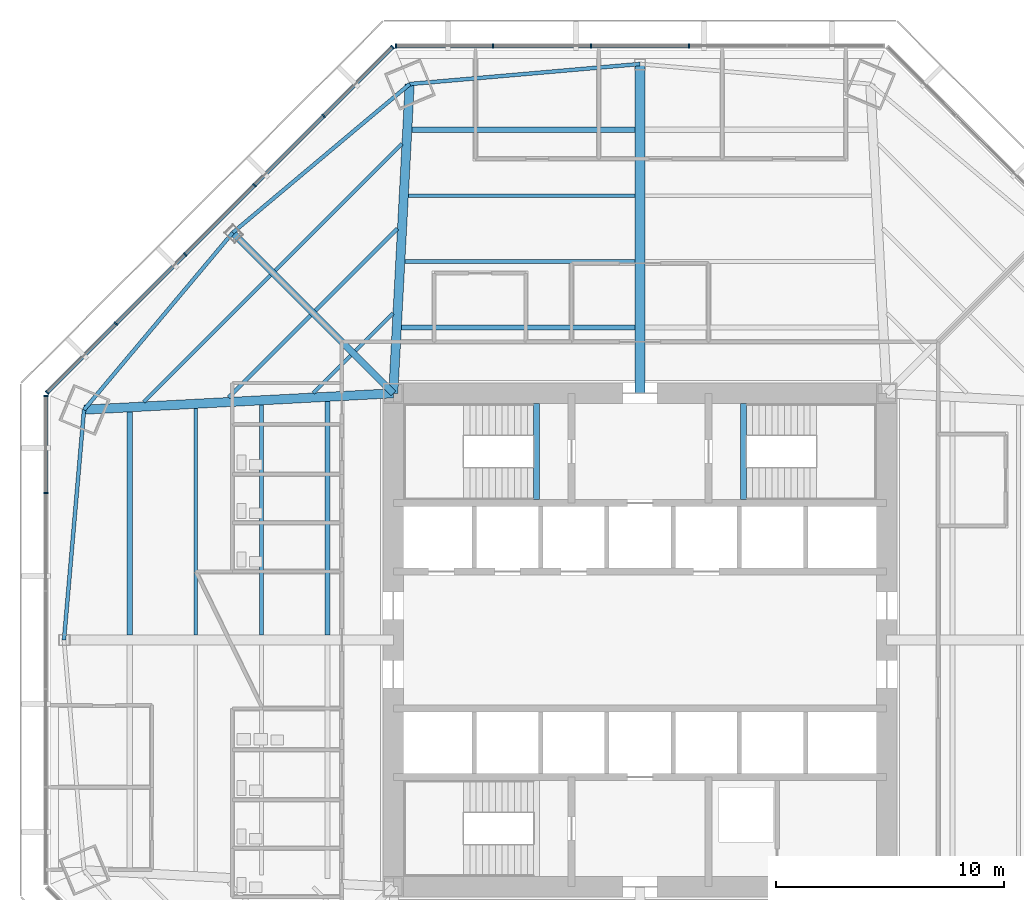
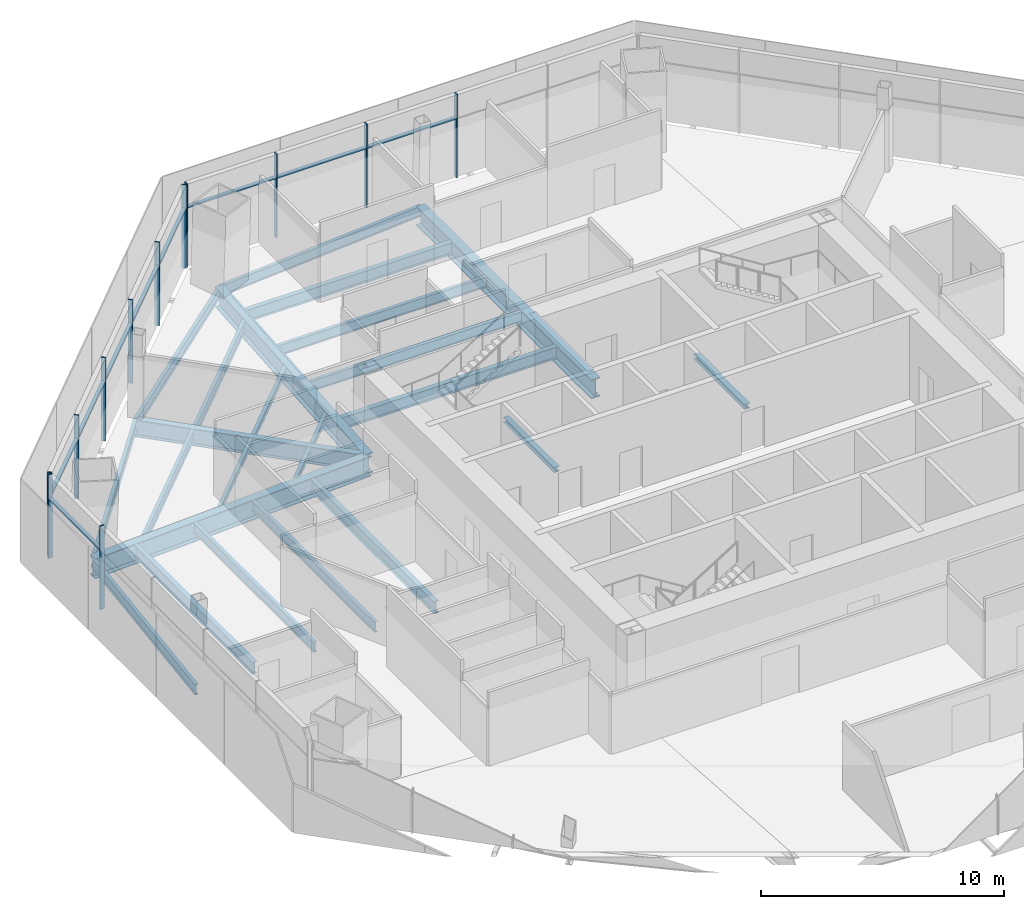
# One storey, part 5 of 15: 24 beams, 21 members, 3 elements without a shape of their own.
"""IFC4 building model written with IfcOpenShell, lengths in metres."""

from ifc_helpers import new_model, si_unit, direction, frame, origin, origin_2d, place, context, subcontext, project, spatial, rectangle, i_section, extrude, source, transform, mapped, material, material_profile, profile_set, type_object, type_shapes, element, aggregate, save


model = new_model("IFC4")

# Units and contexts
model_context = context("Model", 3, precision=1e-05, world=origin(), true_north=direction((0.0, 1.0)))
body_context = subcontext(model_context, "Body", "Model", "MODEL_VIEW")
ifc_project = project(units=[si_unit("LENGTHUNIT", "METRE"), si_unit("AREAUNIT", "SQUARE_METRE"), si_unit("VOLUMEUNIT", "CUBIC_METRE"), si_unit("PLANEANGLEUNIT", "RADIAN"), si_unit("MASSUNIT", "GRAM", prefix="KILO")], contexts=[model_context])

# Site, building, storey
site_placement = place(None, origin())
site = spatial("IfcSite", under=ifc_project, at=site_placement, CompositionType="ELEMENT")
building_placement = place(site_placement, origin())
building = spatial("IfcBuilding", under=site, at=building_placement, Name="Mashrafa Tower", CompositionType="ELEMENT")
storey_placement = place(building_placement, frame((0.0, 0.0, 70.800048828125)))
storey = spatial("IfcBuildingStorey", under=building, at=storey_placement, Name="L15", CompositionType="ELEMENT", Elevation=70.800048828125)

# Beams
ifc_material_1 = material(Name="Steel ASTM A992", Category="steel")
ifc_material_profile_1 = material_profile(ifc_material_1, i_section(OverallWidth=0.164794921875, OverallDepth=0.309814453125, WebThickness=0.005859375, FlangeThickness=0.009765625, FilletRadius=0.007568359375, at=origin_2d()), Name="W12X26")
ifc_profile_set_1 = profile_set([ifc_material_profile_1], Name="Steel ASTM A992")
beam_type_1 = type_object("IfcBeamType", Name="Beam W12X26", PredefinedType="BEAM", material=ifc_profile_set_1)
beam_1_placement = place(storey_placement, frame((-18.0126953125, 10.617919921875, -0.320068359375), z_axis=(0.707082764653, 0.707130796904, 0.0), x_axis=(-0.707130796904, 0.707082764653, 0.0)))
element("IfcBeam", 1, at=beam_1_placement, inside=storey, type_object=beam_type_1, Name="Floor beam L15 006", PredefinedType="BEAM", context=body_context, shape_type="SweptSolid", body=[
    extrude(i_section(OverallWidth=0.164794921875, OverallDepth=0.309814453125, WebThickness=0.005859375, FlangeThickness=0.009765625, FilletRadius=0.007568359375, at=origin_2d()), origin(), (0.0, 0.0, 1.0), 5.082763671875),
])
beam_2_placement = place(storey_placement, frame((-14.30029296875, 10.815185546875, -0.320068359375), z_axis=(0.707159434433, 0.707054124019, 0.0), x_axis=(-0.707054124019, 0.707159434433, 0.0)))
element("IfcBeam", 2, at=beam_2_placement, inside=storey, type_object=beam_type_1, Name="Floor beam L15 011", PredefinedType="BEAM", context=body_context, shape_type="SweptSolid", body=[
    extrude(i_section(OverallWidth=0.164794921875, OverallDepth=0.309814453125, WebThickness=0.005859375, FlangeThickness=0.009765625, FilletRadius=0.007568359375, at=origin_2d()), origin(), (0.0, 0.0, 1.0), 2.318359375),
])
beam_3_placement = place(storey_placement, frame((-14.212158203125, 14.418701171875, -0.320068359375), z_axis=(0.707130796904, 0.707082764653, 0.0), x_axis=(-0.707082764653, 0.707130796904, 0.0)))
element("IfcBeam", 3, at=beam_3_placement, inside=storey, type_object=beam_type_1, Name="Floor beam L15 013", PredefinedType="BEAM", context=body_context, shape_type="SweptSolid", body=[
    extrude(i_section(OverallWidth=0.164794921875, OverallDepth=0.309814453125, WebThickness=0.005859375, FlangeThickness=0.009765625, FilletRadius=0.007568359375, at=origin_2d()), origin(), (0.0, 0.0, 1.0), 5.082763671875),
])
beam_4_placement = place(storey_placement, frame((-12.454345703125, 12.660888671875, -0.320068359375), z_axis=(0.707054124019, 0.707159434433, 0.0), x_axis=(-0.707159434433, 0.707054124019, 0.0)))
element("IfcBeam", 4, at=beam_4_placement, inside=storey, type_object=beam_type_1, Name="Floor beam L15 017", PredefinedType="BEAM", context=body_context, shape_type="SweptSolid", body=[
    extrude(i_section(OverallWidth=0.164794921875, OverallDepth=0.309814453125, WebThickness=0.005859375, FlangeThickness=0.009765625, FilletRadius=0.007568359375, at=origin_2d()), origin(), (0.0, 0.0, 1.0), 2.318359375),
])
ifc_material_2 = material(Name="Steel ASTM A992", Category="steel")
ifc_material_profile_2 = material_profile(ifc_material_2, i_section(OverallWidth=0.165771484375, OverallDepth=0.5283203125, WebThickness=0.009765625, FlangeThickness=0.013671875, FilletRadius=0.012939453125, at=origin_2d()), Name="W21X50")
ifc_profile_set_2 = profile_set([ifc_material_profile_2], Name="Steel ASTM A992")
beam_type_2 = type_object("IfcBeamType", Name="Beam W21X50", PredefinedType="BEAM", material=ifc_profile_set_2)
beam_5_placement = place(storey_placement, frame((-21.72509765625, 10.4208984375, -0.42919921875), z_axis=(0.707091224822, 0.707122337209, 0.0), x_axis=(-0.707122337209, 0.707091224822, 0.0)))
element("IfcBeam", 5, at=beam_5_placement, inside=storey, type_object=beam_type_2, Name="Floor beam L15 003", PredefinedType="BEAM", context=body_context, shape_type="SweptSolid", body=[
    extrude(i_section(OverallWidth=0.165771484375, OverallDepth=0.5283203125, WebThickness=0.009765625, FlangeThickness=0.013671875, FilletRadius=0.012939453125, at=origin_2d()), origin(), (0.0, 0.0, 1.0), 7.84716796875),
])
beam_6_placement = place(storey_placement, frame((-19.449951171875, 0.212158203125, -0.42919921875), z_axis=(0.0, 1.0, 0.0), x_axis=(-1.0, 0.0, 0.0)))
element("IfcBeam", 6, at=beam_6_placement, inside=storey, type_object=beam_type_2, Name="Floor beam L15 005", PredefinedType="BEAM", context=body_context, shape_type="SweptSolid", body=[
    extrude(i_section(OverallWidth=0.165771484375, OverallDepth=0.5283203125, WebThickness=0.009765625, FlangeThickness=0.013671875, FilletRadius=0.012939453125, at=origin_2d()), origin(), (0.0, 0.0, 1.0), 9.927734375),
])
beam_7_placement = place(storey_placement, frame((-16.566650390625, 0.212158203125, -0.42919921875), z_axis=(0.0, 1.0, 0.0), x_axis=(-1.0, 0.0, 0.0)))
element("IfcBeam", 7, at=beam_7_placement, inside=storey, type_object=beam_type_2, Name="Floor beam L15 008", PredefinedType="BEAM", context=body_context, shape_type="SweptSolid", body=[
    extrude(i_section(OverallWidth=0.165771484375, OverallDepth=0.5283203125, WebThickness=0.009765625, FlangeThickness=0.013671875, FilletRadius=0.012939453125, at=origin_2d()), origin(), (0.0, 0.0, 1.0), 10.080810546875),
])
beam_8_placement = place(storey_placement, frame((-15.9697265625, 16.176513671875, -0.42919921875), z_axis=(0.707122337209, 0.707091224822, 0.0), x_axis=(-0.707091224822, 0.707122337209, 0.0)))
element("IfcBeam", 8, at=beam_8_placement, inside=storey, type_object=beam_type_2, Name="Floor beam L15 010", PredefinedType="BEAM", context=body_context, shape_type="SweptSolid", body=[
    extrude(i_section(OverallWidth=0.165771484375, OverallDepth=0.5283203125, WebThickness=0.009765625, FlangeThickness=0.013671875, FilletRadius=0.012939453125, at=origin_2d()), origin(), (0.0, 0.0, 1.0), 7.84716796875),
])
beam_9_placement = place(storey_placement, frame((-10.29296875, 16.566650390625, -0.42919921875), z_axis=(1.0, 0.0, 0.0), x_axis=(0.0, 1.0, 0.0)))
element("IfcBeam", 9, at=beam_9_placement, inside=storey, type_object=beam_type_2, Name="Floor beam L15 020", PredefinedType="BEAM", context=body_context, shape_type="SweptSolid", body=[
    extrude(i_section(OverallWidth=0.165771484375, OverallDepth=0.5283203125, WebThickness=0.009765625, FlangeThickness=0.013671875, FilletRadius=0.012939453125, at=origin_2d()), origin(), (0.0, 0.0, 1.0), 10.080810546875),
])
beam_10_placement = place(storey_placement, frame((-10.139892578125, 19.449951171875, -0.42919921875), z_axis=(1.0, 0.0, 0.0), x_axis=(0.0, 1.0, 0.0)))
element("IfcBeam", 10, at=beam_10_placement, inside=storey, type_object=beam_type_2, Name="Floor beam L15 022", PredefinedType="BEAM", context=body_context, shape_type="SweptSolid", body=[
    extrude(i_section(OverallWidth=0.165771484375, OverallDepth=0.5283203125, WebThickness=0.009765625, FlangeThickness=0.013671875, FilletRadius=0.012939453125, at=origin_2d()), origin(), (0.0, 0.0, 1.0), 9.927734375),
])
for number, where, z_axis, x_axis, name in (
    (11, (-24.33837890625, 10.081298828125, -0.42919921875), (-0.086780571481, -0.996227450141, 0.0), (0.996227450141, -0.086780571481, 0.0), "Spandrel beam L15 075"),
    (12, (-17.830810546875, 17.830810546875, -0.42919921875), (-0.643074957552, -0.765803237764, 0.0), (0.765803237764, -0.643074957552, 0.0), "Spandrel beam L15 077"),
    (13, (-10.081298828125, 24.33837890625, -0.42919921875), (-0.765803237764, -0.643074957552, 0.0), (0.643074957552, -0.765803237764, 0.0), "Spandrel beam L15 079"),
    (14, (0.0, 25.216552734375, -0.42919921875), (-0.996227450141, -0.086780571481, 0.0), (0.086780571481, -0.996227450141, 0.0), "Spandrel beam L15 081"),
):
    element("IfcBeam", number, at=place(storey_placement, frame(where, z_axis=z_axis, x_axis=x_axis)), inside=storey, type_object=beam_type_2, Name=name, PredefinedType="BEAM", context=body_context, shape_type="SweptSolid", body=[
        extrude(i_section(OverallWidth=0.165771484375, OverallDepth=0.5283203125, WebThickness=0.009765625, FlangeThickness=0.013671875, FilletRadius=0.012939453125, at=origin_2d()), origin(), (0.0, 0.0, 1.0), 10.119384765625),
    ])
ifc_material_3 = material(Name="Steel ASTM A992", Category="steel")
ifc_material_profile_3 = material_profile(ifc_material_3, i_section(OverallWidth=0.227783203125, OverallDepth=0.60205078125, WebThickness=0.010498046875, FlangeThickness=0.014892578125, FilletRadius=0.012939453125, at=origin_2d()), Name="W24X68")
ifc_profile_set_3 = profile_set([ifc_material_profile_3], Name="Steel ASTM A992")
beam_type_3 = type_object("IfcBeamType", Name="Beam W24X68", PredefinedType="BEAM", material=ifc_profile_set_3)
beam_11_placement = place(storey_placement, frame((-22.333251953125, 0.212158203125, -0.466064453125), z_axis=(0.0, 1.0, 0.0), x_axis=(-1.0, 0.0, 0.0)))
element("IfcBeam", 15, at=beam_11_placement, inside=storey, type_object=beam_type_3, Name="Floor beam L15 002", PredefinedType="BEAM", context=body_context, shape_type="SweptSolid", body=[
    extrude(i_section(OverallWidth=0.227783203125, OverallDepth=0.60205078125, WebThickness=0.010498046875, FlangeThickness=0.014892578125, FilletRadius=0.012939453125, at=origin_2d()), origin(), (0.0, 0.0, 1.0), 9.774658203125),
])
for number, where, z_axis, x_axis, name in (
    (16, (-13.683349609375, 0.212158203125, -0.466064453125), (0.0, 1.0, 0.0), (-1.0, 0.0, 0.0), "Floor beam L15 015"),
    (17, (-10.446044921875, 13.683349609375, -0.466064453125), (1.0, 0.0, 0.0), (0.0, 1.0, 0.0), "Floor beam L15 018"),
):
    element("IfcBeam", number, at=place(storey_placement, frame(where, z_axis=z_axis, x_axis=x_axis)), inside=storey, type_object=beam_type_3, Name=name, PredefinedType="BEAM", context=body_context, shape_type="SweptSolid", body=[
        extrude(i_section(OverallWidth=0.227783203125, OverallDepth=0.60205078125, WebThickness=0.010498046875, FlangeThickness=0.014892578125, FilletRadius=0.012939453125, at=origin_2d()), origin(), (0.0, 0.0, 1.0), 10.23388671875),
    ])
beam_12_placement = place(storey_placement, frame((-9.98681640625, 22.333251953125, -0.466064453125), z_axis=(1.0, 0.0, 0.0), x_axis=(0.0, 1.0, 0.0)))
element("IfcBeam", 18, at=beam_12_placement, inside=storey, type_object=beam_type_3, Name="Floor beam L15 024", PredefinedType="BEAM", context=body_context, shape_type="SweptSolid", body=[
    extrude(i_section(OverallWidth=0.227783203125, OverallDepth=0.60205078125, WebThickness=0.010498046875, FlangeThickness=0.014892578125, FilletRadius=0.012939453125, at=origin_2d()), origin(), (0.0, 0.0, 1.0), 9.774658203125),
])
ifc_material_4 = material(Name="Steel ASTM A992", Category="steel")
ifc_material_profile_4 = material_profile(ifc_material_4, i_section(OverallWidth=0.2919921875, OverallDepth=0.8583984375, WebThickness=0.01708984375, FlangeThickness=0.031005859375, FilletRadius=0.017822265625, at=origin_2d()), Name="W33X169")
ifc_profile_set_4 = profile_set([ifc_material_profile_4], Name="Steel ASTM A992")
beam_type_4 = type_object("IfcBeamType", Name="Beam W33X169", PredefinedType="BEAM", material=ifc_profile_set_4)
beam_13_placement = place(storey_placement, frame((-10.800048828125, 10.800048828125, -0.59423828125), z_axis=(-0.707106781187, 0.707106781187, 0.0), x_axis=(-0.707106781187, -0.707106781187, 0.0)))
element("IfcBeam", 19, at=beam_13_placement, inside=storey, type_object=beam_type_4, Name="Radial girder L15 062", PredefinedType="BEAM", context=body_context, shape_type="SweptSolid", body=[
    extrude(i_section(OverallWidth=0.2919921875, OverallDepth=0.8583984375, WebThickness=0.01708984375, FlangeThickness=0.031005859375, FilletRadius=0.017822265625, at=origin_2d()), origin(), (0.0, 0.0, 1.0), 9.943115234375),
])
ifc_material_5 = material(Name="Steel ASTM A992", Category="steel")
ifc_material_profile_5 = material_profile(ifc_material_5, i_section(OverallWidth=0.424072265625, OverallDepth=0.960205078125, WebThickness=0.028564453125, FlangeThickness=0.051025390625, FilletRadius=0.02001953125, at=origin_2d()), Name="W36X361")
ifc_profile_set_5 = profile_set([ifc_material_profile_5], Name="Steel ASTM A992")
beam_type_5 = type_object("IfcBeamType", Name="Beam W36X361", PredefinedType="BEAM", material=ifc_profile_set_5)
beam_14_placement = place(storey_placement, frame((0.0, 10.800048828125, -0.64501953125), z_axis=(0.0, 1.0, 0.0), x_axis=(-1.0, 0.0, 0.0)))
element("IfcBeam", 20, at=beam_14_placement, inside=storey, type_object=beam_type_5, Name="Radial girder L15 065", PredefinedType="BEAM", context=body_context, shape_type="SweptSolid", body=[
    extrude(i_section(OverallWidth=0.424072265625, OverallDepth=0.960205078125, WebThickness=0.028564453125, FlangeThickness=0.051025390625, FilletRadius=0.02001953125, at=origin_2d()), origin(), (0.0, 0.0, 1.0), 14.41650390625),
])
ifc_material_6 = material(Name="Steel ASTM A992", Category="steel")
ifc_material_profile_6 = material_profile(ifc_material_6, i_section(OverallWidth=0.4013671875, OverallDepth=1.010986328125, WebThickness=0.023681640625, FlangeThickness=0.0419921875, FilletRadius=0.02001953125, at=origin_2d()), Name="W40X297")
ifc_profile_set_6 = profile_set([ifc_material_profile_6], Name="Steel ASTM A992")
beam_type_6 = type_object("IfcBeamType", Name="Beam W40X297", PredefinedType="BEAM", material=ifc_profile_set_6)
for number, where, z_axis, x_axis, name in (
    (21, (-10.800048828125, 10.800048828125, -0.67041015625), (-0.998593697831, -0.05301534356, 0.0), (0.05301534356, -0.998593697831, 0.0), "Radial girder L15 061"),
    (22, (-10.800048828125, 10.800048828125, -0.67041015625), (0.05301534356, 0.998593697831, 0.0), (-0.998593697831, 0.05301534356, 0.0), "Radial girder L15 063"),
):
    element("IfcBeam", number, at=place(storey_placement, frame(where, z_axis=z_axis, x_axis=x_axis)), inside=storey, type_object=beam_type_6, Name=name, PredefinedType="BEAM", context=body_context, shape_type="SweptSolid", body=[
        extrude(i_section(OverallWidth=0.4013671875, OverallDepth=1.010986328125, WebThickness=0.023681640625, FlangeThickness=0.0419921875, FilletRadius=0.02001953125, at=origin_2d()), origin(), (0.0, 0.0, 1.0), 13.557373046875),
    ])
ifc_material_7 = material(Name="Steel ASTM A992", Category="steel")
ifc_material_profile_7 = material_profile(ifc_material_7, i_section(OverallWidth=0.25390625, OverallDepth=0.25390625, WebThickness=0.008544921875, FlangeThickness=0.01416015625, FilletRadius=0.010009765625, at=origin_2d()), Name="W10X49")
ifc_profile_set_7 = profile_set([ifc_material_profile_7], Name="Steel ASTM A992")
beam_type_7 = type_object("IfcBeamType", Name="Hoistway beam W10X49", PredefinedType="BEAM", material=ifc_profile_set_7)
for number, where, z_axis, x_axis, name in (
    (23, (-4.530029296875, 6.14990234375, -0.3271484375), (0.0, 1.0, 0.0), (-1.0, 0.0, 0.0), "Stair S1 landing beam L15"),
    (24, (4.530029296875, 6.14990234375, -0.3271484375), (0.0, 1.0, 0.0), (-1.0, 0.0, 0.0), "Stair S2 landing beam L15"),
):
    element("IfcBeam", number, at=place(storey_placement, frame(where, z_axis=z_axis, x_axis=x_axis)), inside=storey, type_object=beam_type_7, Name=name, PredefinedType="BEAM", context=body_context, shape_type="SweptSolid", body=[
        extrude(i_section(OverallWidth=0.25390625, OverallDepth=0.25390625, WebThickness=0.008544921875, FlangeThickness=0.01416015625, FilletRadius=0.010009765625, at=origin_2d()), origin(), (0.0, 0.0, 1.0), 4.2001953125),
    ])

# Curtain wall, members
ifc_material_8 = material(Name="Unitised aluminium curtain wall", Category="aluminium")
curtain_wall_type = type_object("IfcCurtainWallType", Name="Office curtain wall, zone 1 CW-A 200 deep", PredefinedType="NOTDEFINED", material=ifc_material_8)
curtain_wall_1_placement = place(storey_placement, origin())
curtain_wall_1 = element("IfcCurtainWall", 25, at=curtain_wall_1_placement, inside=storey, type_object=curtain_wall_type, Name="Office curtain wall, zone 1 L15 north", PredefinedType="NOTDEFINED")
ifc_material_9 = material(Name="Extruded aluminium mullion", Category="aluminium")
ifc_material_profile_8 = material_profile(ifc_material_9, rectangle(XDim=0.199951171875, YDim=0.06494140625, at=origin_2d()), Name="Mullion 65x200")
ifc_profile_set_8 = profile_set([ifc_material_profile_8], Name="Extruded aluminium mullion")
member_type_1 = type_object("IfcMemberType", Name="Mullion CW-A 65 x 200", PredefinedType="MULLION", material=ifc_profile_set_8)
shared_shape_1 = source(origin(), body_context, "Body", "SweptSolid", [
    extrude(rectangle(XDim=0.199951171875, YDim=0.06494140625, at=origin_2d()), origin(), (0.0, 0.0, 1.0), 4.199951171875),
])
type_shapes(member_type_1, [shared_shape_1])
member_1_placement = place(storey_placement, frame((2.14453125, 26.011962890625, 0.0), z_axis=(0.0, 0.0, 1.0), x_axis=(0.0, -1.0, 0.0)))
member_1 = element("IfcMember", 26, at=member_1_placement, type_object=member_type_1, Name="CW-A mullion 3", PredefinedType="MULLION", context=body_context, shape_type="MappedRepresentation", body=[
    mapped(shared_shape_1, transform((0.0, 0.0, 0.0))),
])
member_2_placement = place(storey_placement, frame((-2.14453125, 26.011962890625, 0.0), z_axis=(0.0, 0.0, 1.0), x_axis=(0.0, -1.0, 0.0)))
member_2 = element("IfcMember", 27, at=member_2_placement, type_object=member_type_1, Name="CW-A mullion 4", PredefinedType="MULLION", context=body_context, shape_type="MappedRepresentation", body=[
    mapped(shared_shape_1, transform((0.0, 0.0, 0.0))),
])
member_3_placement = place(storey_placement, frame((-6.433837890625, 26.011962890625, 0.0), z_axis=(0.0, 0.0, 1.0), x_axis=(0.0, -1.0, 0.0)))
member_3 = element("IfcMember", 28, at=member_3_placement, type_object=member_type_1, Name="CW-A mullion 5", PredefinedType="MULLION", context=body_context, shape_type="MappedRepresentation", body=[
    mapped(shared_shape_1, transform((0.0, 0.0, 0.0))),
])
member_4_placement = place(storey_placement, frame((-10.690673828125, 26.011962890625, 0.0), z_axis=(0.0, 0.0, 1.0), x_axis=(0.0, -1.0, 0.0)))
member_4 = element("IfcMember", 29, at=member_4_placement, type_object=member_type_1, Name="CW-A mullion 6", PredefinedType="MULLION", context=body_context, shape_type="MappedRepresentation", body=[
    mapped(shared_shape_1, transform((0.0, 0.0, 0.0))),
])

curtain_wall_2_placement = place(storey_placement, origin())
curtain_wall_2 = element("IfcCurtainWall", 30, at=curtain_wall_2_placement, inside=storey, type_object=curtain_wall_type, Name="Office curtain wall, zone 1 L15 north-west", PredefinedType="NOTDEFINED")
member_5_placement = place(storey_placement, frame((-10.833740234375, 25.95263671875, 0.0), z_axis=(0.0, 0.0, 1.0), x_axis=(0.707106781187, -0.707106781187, 0.0)))
member_5 = element("IfcMember", 31, at=member_5_placement, type_object=member_type_1, Name="CW-A mullion 1", PredefinedType="MULLION", context=body_context, shape_type="MappedRepresentation", body=[
    mapped(shared_shape_1, transform((0.0, 0.0, 0.0))),
])
member_6_placement = place(storey_placement, frame((-13.84375, 22.942626953125, 0.0), z_axis=(0.0, 0.0, 1.0), x_axis=(0.707106781187, -0.707106781187, 0.0)))
member_6 = element("IfcMember", 32, at=member_6_placement, type_object=member_type_1, Name="CW-A mullion 2", PredefinedType="MULLION", context=body_context, shape_type="MappedRepresentation", body=[
    mapped(shared_shape_1, transform((0.0, 0.0, 0.0))),
])
member_7_placement = place(storey_placement, frame((-16.876708984375, 19.90966796875, 0.0), z_axis=(0.0, 0.0, 1.0), x_axis=(0.707106781187, -0.707106781187, 0.0)))
member_7 = element("IfcMember", 33, at=member_7_placement, type_object=member_type_1, Name="CW-A mullion 3", PredefinedType="MULLION", context=body_context, shape_type="MappedRepresentation", body=[
    mapped(shared_shape_1, transform((0.0, 0.0, 0.0))),
])
member_8_placement = place(storey_placement, frame((-19.90966796875, 16.876708984375, 0.0), z_axis=(0.0, 0.0, 1.0), x_axis=(0.707106781187, -0.707106781187, 0.0)))
member_8 = element("IfcMember", 34, at=member_8_placement, type_object=member_type_1, Name="CW-A mullion 4", PredefinedType="MULLION", context=body_context, shape_type="MappedRepresentation", body=[
    mapped(shared_shape_1, transform((0.0, 0.0, 0.0))),
])
member_9_placement = place(storey_placement, frame((-22.942626953125, 13.84375, 0.0), z_axis=(0.0, 0.0, 1.0), x_axis=(0.707106781187, -0.707106781187, 0.0)))
member_9 = element("IfcMember", 35, at=member_9_placement, type_object=member_type_1, Name="CW-A mullion 5", PredefinedType="MULLION", context=body_context, shape_type="MappedRepresentation", body=[
    mapped(shared_shape_1, transform((0.0, 0.0, 0.0))),
])
member_10_placement = place(storey_placement, frame((-25.95263671875, 10.833740234375, 0.0), z_axis=(0.0, 0.0, 1.0), x_axis=(0.707106781187, -0.707106781187, 0.0)))
member_10 = element("IfcMember", 36, at=member_10_placement, type_object=member_type_1, Name="CW-A mullion 6", PredefinedType="MULLION", context=body_context, shape_type="MappedRepresentation", body=[
    mapped(shared_shape_1, transform((0.0, 0.0, 0.0))),
])

curtain_wall_3_placement = place(storey_placement, origin())
curtain_wall_3 = element("IfcCurtainWall", 37, at=curtain_wall_3_placement, inside=storey, type_object=curtain_wall_type, Name="Office curtain wall, zone 1 L15 west", PredefinedType="NOTDEFINED")
member_11_placement = place(storey_placement, frame((-26.011962890625, 10.690673828125, 0.0), z_axis=(0.0, 0.0, 1.0), x_axis=(1.0, 0.0, 0.0)))
member_11 = element("IfcMember", 38, at=member_11_placement, type_object=member_type_1, Name="CW-A mullion 1", PredefinedType="MULLION", context=body_context, shape_type="MappedRepresentation", body=[
    mapped(shared_shape_1, transform((0.0, 0.0, 0.0))),
])
member_12_placement = place(storey_placement, frame((-26.011962890625, 6.433837890625, 0.0), z_axis=(0.0, 0.0, 1.0), x_axis=(1.0, 0.0, 0.0)))
member_12 = element("IfcMember", 39, at=member_12_placement, type_object=member_type_1, Name="CW-A mullion 2", PredefinedType="MULLION", context=body_context, shape_type="MappedRepresentation", body=[
    mapped(shared_shape_1, transform((0.0, 0.0, 0.0))),
])

# Member
ifc_material_10 = material(Name="Extruded aluminium transom", Category="aluminium")
ifc_material_profile_9 = material_profile(ifc_material_10, rectangle(XDim=0.159912109375, YDim=0.080078125, at=origin_2d()), Name="Transom 80x160")
ifc_profile_set_9 = profile_set([ifc_material_profile_9], Name="Extruded aluminium transom")
member_type_2 = type_object("IfcMemberType", Name="Transom CW-A 80 x 160", PredefinedType="MULLION", material=ifc_profile_set_9)
shared_shape_2 = source(origin(), body_context, "Body", "SweptSolid", [
    extrude(rectangle(XDim=0.159912109375, YDim=0.080078125, at=origin_2d()), origin(), (0.0, 0.0, 1.0), 4.191650390625),
])
member_13_placement = place(storey_placement, frame((-6.46630859375, 26.011962890625, 3.0), z_axis=(-1.0, 0.0, 0.0), x_axis=(0.0, -1.0, 0.0)))
member_13 = element("IfcMember", 40, at=member_13_placement, type_object=member_type_2, Name="CW-A transom 5", PredefinedType="MULLION", context=body_context, shape_type="MappedRepresentation", body=[
    mapped(shared_shape_2, transform((0.0, 0.0, 0.0))),
])

member_14_placement = place(storey_placement, frame((-10.856689453125, 25.929443359375, 3.0), z_axis=(-0.707135902401, -0.707077658772, 0.0), x_axis=(0.707077658772, -0.707135902401, 0.0)))
member_14 = element("IfcMember", 41, at=member_14_placement, type_object=member_type_2, Name="CW-A transom 1", PredefinedType="MULLION", context=body_context, shape_type="MappedRepresentation", body=[
    mapped(shared_shape_2, transform((0.0, 0.0, 0.0))),
])

member_15_placement = place(storey_placement, frame((-22.965576171875, 13.82080078125, 3.0), z_axis=(-0.707077658772, -0.707135902401, 0.0), x_axis=(0.707135902401, -0.707077658772, 0.0)))
member_15 = element("IfcMember", 42, at=member_15_placement, type_object=member_type_2, Name="CW-A transom 5", PredefinedType="MULLION", context=body_context, shape_type="MappedRepresentation", body=[
    mapped(shared_shape_2, transform((0.0, 0.0, 0.0))),
])

member_16_placement = place(storey_placement, frame((-26.011962890625, 10.657958984375, 3.0), z_axis=(0.0, -1.0, 0.0), x_axis=(1.0, 0.0, 0.0)))
member_16 = element("IfcMember", 43, at=member_16_placement, type_object=member_type_2, Name="CW-A transom 1", PredefinedType="MULLION", context=body_context, shape_type="MappedRepresentation", body=[
    mapped(shared_shape_2, transform((0.0, 0.0, 0.0))),
])

aggregate(curtain_wall_3, [member_11, member_12, member_16])

shared_shape_3 = source(origin(), body_context, "Body", "SweptSolid", [
    extrude(rectangle(XDim=0.159912109375, YDim=0.080078125, at=origin_2d()), origin(), (0.0, 0.0, 1.0), 4.224365234375),
])
member_17_placement = place(storey_placement, frame((-2.177001953125, 26.011962890625, 3.0), z_axis=(-1.0, 0.0, 0.0), x_axis=(0.0, -1.0, 0.0)))
member_17 = element("IfcMember", 44, at=member_17_placement, type_object=member_type_2, Name="CW-A transom 4", PredefinedType="MULLION", context=body_context, shape_type="MappedRepresentation", body=[
    mapped(shared_shape_3, transform((0.0, 0.0, 0.0))),
])

member_18_placement = place(storey_placement, frame((-13.86669921875, 22.919677734375, 3.0), z_axis=(-0.707106781187, -0.707106781187, 0.0), x_axis=(0.707106781187, -0.707106781187, 0.0)))
member_18 = element("IfcMember", 45, at=member_18_placement, type_object=member_type_2, Name="CW-A transom 2", PredefinedType="MULLION", context=body_context, shape_type="MappedRepresentation", body=[
    mapped(shared_shape_3, transform((0.0, 0.0, 0.0))),
])

member_19_placement = place(storey_placement, frame((-16.899658203125, 19.88671875, 3.0), z_axis=(-0.707106781187, -0.707106781187, 0.0), x_axis=(0.707106781187, -0.707106781187, 0.0)))
member_19 = element("IfcMember", 46, at=member_19_placement, type_object=member_type_2, Name="CW-A transom 3", PredefinedType="MULLION", context=body_context, shape_type="MappedRepresentation", body=[
    mapped(shared_shape_3, transform((0.0, 0.0, 0.0))),
])

member_20_placement = place(storey_placement, frame((-19.9326171875, 16.853759765625, 3.0), z_axis=(-0.707106781187, -0.707106781187, 0.0), x_axis=(0.707106781187, -0.707106781187, 0.0)))
member_20 = element("IfcMember", 47, at=member_20_placement, type_object=member_type_2, Name="CW-A transom 4", PredefinedType="MULLION", context=body_context, shape_type="MappedRepresentation", body=[
    mapped(shared_shape_3, transform((0.0, 0.0, 0.0))),
])

aggregate(curtain_wall_2, [member_5, member_6, member_7, member_8, member_9, member_10, member_14, member_18, member_19, member_20, member_15])

shared_shape_4 = source(origin(), body_context, "Body", "SweptSolid", [
    extrude(rectangle(XDim=0.159912109375, YDim=0.080078125, at=origin_2d()), origin(), (0.0, 0.0, 1.0), 4.22412109375),
])
type_shapes(member_type_2, [shared_shape_2, shared_shape_3, shared_shape_4])
member_21_placement = place(storey_placement, frame((2.112060546875, 26.011962890625, 3.0), z_axis=(-1.0, 0.0, 0.0), x_axis=(0.0, -1.0, 0.0)))
member_21 = element("IfcMember", 48, at=member_21_placement, type_object=member_type_2, Name="CW-A transom 3", PredefinedType="MULLION", context=body_context, shape_type="MappedRepresentation", body=[
    mapped(shared_shape_4, transform((0.0, 0.0, 0.0))),
])

aggregate(curtain_wall_1, [member_1, member_2, member_3, member_4, member_21, member_17, member_13])

save(model, "model.ifc")
